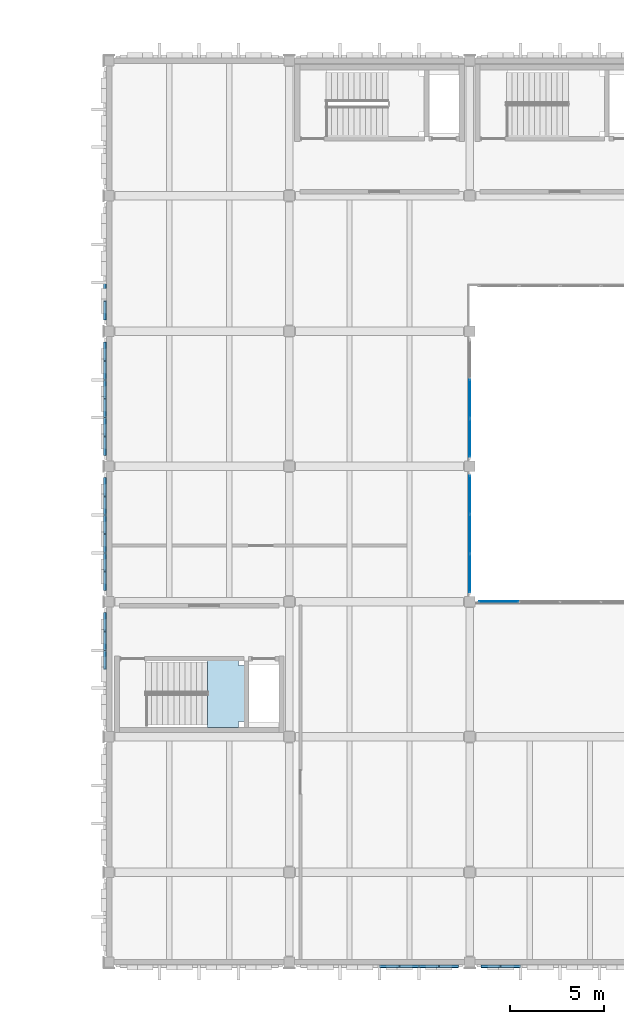
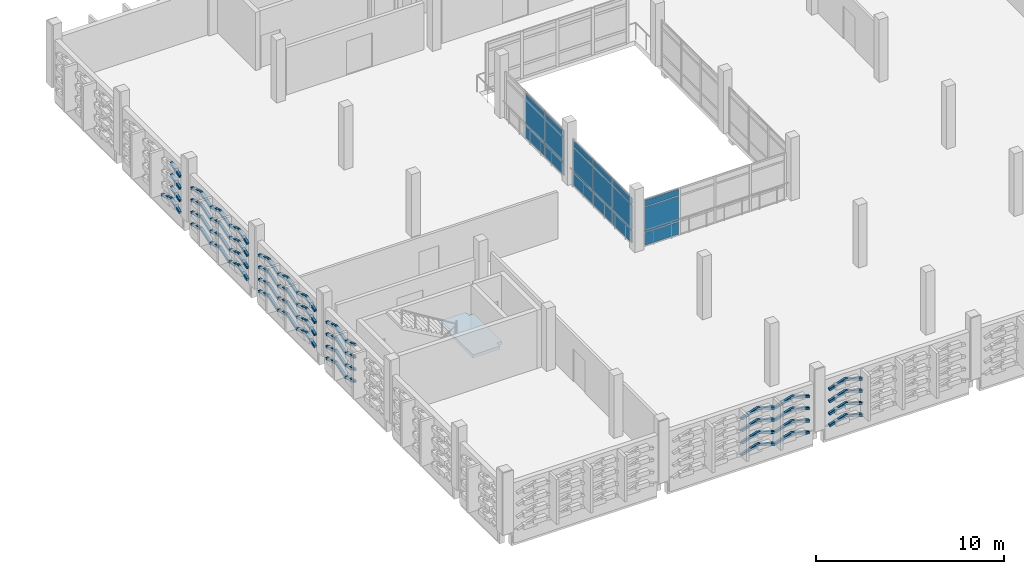
# One storey, part 36 of 72: 107 plates, 1 slab, 4 elements without a shape of their own.
"""IFC4 building model written with IfcOpenShell, lengths in metres."""

from ifc_helpers import new_model, si_unit, direction, frame, origin, origin_2d, place, context, subcontext, project, spatial, polyline, rectangle, hollow_rectangle, outline, extrude, material, layer, layer_set, material_profile, profile_set, type_object, element, aggregate, save


model = new_model("IFC4")

# Units and contexts
model_context = context("Model", 3, precision=1e-05, world=origin(), true_north=direction((0.0, 1.0)))
body_context = subcontext(model_context, "Body", "Model", "MODEL_VIEW")
ifc_project = project(units=[si_unit("LENGTHUNIT", "METRE"), si_unit("AREAUNIT", "SQUARE_METRE"), si_unit("VOLUMEUNIT", "CUBIC_METRE"), si_unit("PLANEANGLEUNIT", "RADIAN"), si_unit("MASSUNIT", "GRAM", prefix="KILO")], contexts=[model_context])

# Site, building, storey
site_placement = place(None, origin())
site = spatial("IfcSite", under=ifc_project, at=site_placement, CompositionType="ELEMENT")
building_placement = place(site_placement, origin())
building = spatial("IfcBuilding", under=site, at=building_placement, Name="Asteropetra Specialist Clinic", CompositionType="ELEMENT")
storey_placement = place(building_placement, frame((0.0, 0.0, 12.580078125)))
storey = spatial("IfcBuildingStorey", under=building, at=storey_placement, Name="L03", CompositionType="ELEMENT", Elevation=12.580078125)

# Plates
ifc_material_1 = material(Name="Chevron emerald aluminium 6063-T6", Category="aluminium")
ifc_material_profile = material_profile(ifc_material_1, hollow_rectangle(XDim=0.159912109375, YDim=0.159912109375, WallThickness=0.008056640625, InnerFilletRadius=0.008056640625, OuterFilletRadius=0.01611328125, at=origin_2d()), Name="SHS 160x160x8.0")
ifc_profile_set = profile_set([ifc_material_profile], Name="Chevron emerald aluminium 6063-T6")
plate_type_1 = type_object("IfcPlateType", Name="CHV-RIB-160", PredefinedType="SHEET", material=ifc_profile_set)
for number, where, z_axis, x_axis, name in (
    (1, (120.02001953125, -0.219482421875, 0.0498046875), (0.95200979945, 0.0, 0.306067544426), (0.0, 1.0, 0.0), "Chevron Facade Screen Fin CVR-2974"),
    (2, (121.05126953125, -0.219482421875, 0.38134765625), (0.95200979945, 0.0, -0.306067544426), (0.0, 1.0, 0.0), "Chevron Facade Screen Fin CVR-2975"),
    (3, (120.02001953125, -0.219482421875, 0.81982421875), (0.95200979945, 0.0, 0.306067544426), (0.0, 1.0, 0.0), "Chevron Facade Screen Fin CVR-2976"),
    (4, (121.05126953125, -0.219482421875, 1.1513671875), (0.95200979945, 0.0, -0.306067544426), (0.0, 1.0, 0.0), "Chevron Facade Screen Fin CVR-2977"),
    (5, (120.02001953125, -0.219482421875, 1.619873046875), (0.95200979945, 0.0, 0.306067544426), (0.0, 1.0, 0.0), "Chevron Facade Screen Fin CVR-2978"),
    (6, (121.05126953125, -0.219482421875, 1.951416015625), (0.95200979945, 0.0, -0.306067544426), (0.0, 1.0, 0.0), "Chevron Facade Screen Fin CVR-2979"),
    (7, (120.02001953125, -0.219482421875, 2.39990234375), (0.95200979945, 0.0, 0.306067544426), (0.0, 1.0, 0.0), "Chevron Facade Screen Fin CVR-2980"),
    (8, (121.05126953125, -0.219482421875, 2.7314453125), (0.95200979945, 0.0, -0.306067544426), (0.0, 1.0, 0.0), "Chevron Facade Screen Fin CVR-2981"),
    (9, (122.12255859375, -0.219482421875, 0.0498046875), (0.95200979945, 0.0, 0.306067544426), (0.0, 1.0, 0.0), "Chevron Facade Screen Fin CVR-2982"),
    (10, (123.15380859375, -0.219482421875, 0.38134765625), (0.95200979945, 0.0, -0.306067544426), (0.0, 1.0, 0.0), "Chevron Facade Screen Fin CVR-2983"),
    (11, (122.12255859375, -0.219482421875, 0.81982421875), (0.95200979945, 0.0, 0.306067544426), (0.0, 1.0, 0.0), "Chevron Facade Screen Fin CVR-2984"),
    (12, (123.15380859375, -0.219482421875, 1.1513671875), (0.95200979945, 0.0, -0.306067544426), (0.0, 1.0, 0.0), "Chevron Facade Screen Fin CVR-2985"),
    (13, (122.12255859375, -0.219482421875, 1.619873046875), (0.95200979945, 0.0, 0.306067544426), (0.0, 1.0, 0.0), "Chevron Facade Screen Fin CVR-2986"),
    (14, (123.15380859375, -0.219482421875, 1.951416015625), (0.95200979945, 0.0, -0.306067544426), (0.0, 1.0, 0.0), "Chevron Facade Screen Fin CVR-2987"),
    (15, (122.12255859375, -0.219482421875, 2.39990234375), (0.95200979945, 0.0, 0.306067544426), (0.0, 1.0, 0.0), "Chevron Facade Screen Fin CVR-2988"),
    (16, (123.15380859375, -0.219482421875, 2.7314453125), (0.95200979945, 0.0, -0.306067544426), (0.0, 1.0, 0.0), "Chevron Facade Screen Fin CVR-2989"),
    (17, (125.4150390625, -0.219482421875, 0.0498046875), (0.95200979945, 0.0, 0.306067544426), (0.0, 1.0, 0.0), "Chevron Facade Screen Fin CVR-3022"),
    (18, (126.4462890625, -0.219482421875, 0.38134765625), (0.95200979945, 0.0, -0.306067544426), (0.0, 1.0, 0.0), "Chevron Facade Screen Fin CVR-3023"),
    (19, (125.4150390625, -0.219482421875, 0.81982421875), (0.95200979945, 0.0, 0.306067544426), (0.0, 1.0, 0.0), "Chevron Facade Screen Fin CVR-3024"),
    (20, (126.4462890625, -0.219482421875, 1.1513671875), (0.95200979945, 0.0, -0.306067544426), (0.0, 1.0, 0.0), "Chevron Facade Screen Fin CVR-3025"),
    (21, (125.4150390625, -0.219482421875, 1.619873046875), (0.95200979945, 0.0, 0.306067544426), (0.0, 1.0, 0.0), "Chevron Facade Screen Fin CVR-3026"),
    (22, (126.4462890625, -0.219482421875, 1.951416015625), (0.95200979945, 0.0, -0.306067544426), (0.0, 1.0, 0.0), "Chevron Facade Screen Fin CVR-3027"),
    (23, (125.4150390625, -0.219482421875, 2.39990234375), (0.95200979945, 0.0, 0.306067544426), (0.0, 1.0, 0.0), "Chevron Facade Screen Fin CVR-3028"),
    (24, (126.4462890625, -0.219482421875, 2.7314453125), (0.95200979945, 0.0, -0.306067544426), (0.0, 1.0, 0.0), "Chevron Facade Screen Fin CVR-3029"),
):
    element("IfcPlate", number, at=place(storey_placement, frame(where, z_axis=z_axis, x_axis=x_axis)), inside=storey, type_object=plate_type_1, Name=name, PredefinedType="SHEET", context=body_context, shape_type="SweptSolid", body=[
        extrude(hollow_rectangle(XDim=0.159912109375, YDim=0.159912109375, WallThickness=0.008056640625, InnerFilletRadius=0.008056640625, OuterFilletRadius=0.01611328125, at=origin_2d()), origin(), (0.0, 0.0, 1.0), 1.083251953125),
    ])
for number, where, z_axis, x_axis, name in (
    (25, (105.380615234375, 18.5849609375, 0.0498046875), (0.0, -0.951922588053, 0.306338679169), (1.0, 0.0, 0.0), "Chevron Facade Screen Fin CVR-3294"),
    (26, (105.380615234375, 17.603271484375, 0.36572265625), (0.0, -0.951922588053, -0.306338679169), (1.0, 0.0, 0.0), "Chevron Facade Screen Fin CVR-3295"),
    (27, (105.380615234375, 18.5849609375, 0.81982421875), (0.0, -0.951922588053, 0.306338679169), (1.0, 0.0, 0.0), "Chevron Facade Screen Fin CVR-3296"),
    (28, (105.380615234375, 17.603271484375, 1.1357421875), (0.0, -0.951922588053, -0.306338679169), (1.0, 0.0, 0.0), "Chevron Facade Screen Fin CVR-3297"),
    (29, (105.380615234375, 18.5849609375, 1.619873046875), (0.0, -0.951922588053, 0.306338679169), (1.0, 0.0, 0.0), "Chevron Facade Screen Fin CVR-3298"),
    (30, (105.380615234375, 17.603271484375, 1.935791015625), (0.0, -0.951922588053, -0.306338679169), (1.0, 0.0, 0.0), "Chevron Facade Screen Fin CVR-3299"),
    (31, (105.380615234375, 18.5849609375, 2.39990234375), (0.0, -0.951922588053, 0.306338679169), (1.0, 0.0, 0.0), "Chevron Facade Screen Fin CVR-3300"),
    (32, (105.380615234375, 17.603271484375, 2.7158203125), (0.0, -0.951922588053, -0.306338679169), (1.0, 0.0, 0.0), "Chevron Facade Screen Fin CVR-3301"),
    (33, (105.380615234375, 16.581787109375, 0.0498046875), (0.0, -0.951922588053, 0.306338679169), (1.0, 0.0, 0.0), "Chevron Facade Screen Fin CVR-3302"),
    (34, (105.380615234375, 16.581787109375, 0.81982421875), (0.0, -0.951922588053, 0.306338679169), (1.0, 0.0, 0.0), "Chevron Facade Screen Fin CVR-3304"),
    (35, (105.380615234375, 16.581787109375, 1.619873046875), (0.0, -0.951922588053, 0.306338679169), (1.0, 0.0, 0.0), "Chevron Facade Screen Fin CVR-3306"),
    (36, (105.380615234375, 16.581787109375, 2.39990234375), (0.0, -0.951922588053, 0.306338679169), (1.0, 0.0, 0.0), "Chevron Facade Screen Fin CVR-3308"),
    (37, (105.380615234375, 25.784912109375, 0.0498046875), (0.0, -0.951922588053, 0.306338679169), (1.0, 0.0, 0.0), "Chevron Facade Screen Fin CVR-3342"),
):
    element("IfcPlate", number, at=place(storey_placement, frame(where, z_axis=z_axis, x_axis=x_axis)), inside=storey, type_object=plate_type_1, Name=name, PredefinedType="SHEET", context=body_context, shape_type="SweptSolid", body=[
        extrude(hollow_rectangle(XDim=0.159912109375, YDim=0.159912109375, WallThickness=0.008056640625, InnerFilletRadius=0.008056640625, OuterFilletRadius=0.01611328125, at=origin_2d()), origin(), (0.0, 0.0, 1.0), 1.03125),
    ])
plate_1_placement = place(storey_placement, frame((105.380615234375, 24.80322265625, 0.36572265625), z_axis=(0.0, -0.951900364266, -0.306407729194), x_axis=(1.0, 0.0, 0.0)))
element("IfcPlate", 38, at=plate_1_placement, inside=storey, type_object=plate_type_1, Name="Chevron Facade Screen Fin CVR-3343", PredefinedType="SHEET", context=body_context, shape_type="SweptSolid", body=[
    extrude(hollow_rectangle(XDim=0.159912109375, YDim=0.159912109375, WallThickness=0.008056640625, InnerFilletRadius=0.008056640625, OuterFilletRadius=0.01611328125, at=origin_2d()), origin(), (0.0, 0.0, 1.0), 1.031005859375),
])
plate_2_placement = place(storey_placement, frame((105.380615234375, 25.784912109375, 0.81982421875), z_axis=(0.0, -0.951922588053, 0.306338679169), x_axis=(1.0, 0.0, 0.0)))
element("IfcPlate", 39, at=plate_2_placement, inside=storey, type_object=plate_type_1, Name="Chevron Facade Screen Fin CVR-3344", PredefinedType="SHEET", context=body_context, shape_type="SweptSolid", body=[
    extrude(hollow_rectangle(XDim=0.159912109375, YDim=0.159912109375, WallThickness=0.008056640625, InnerFilletRadius=0.008056640625, OuterFilletRadius=0.01611328125, at=origin_2d()), origin(), (0.0, 0.0, 1.0), 1.03125),
])
plate_3_placement = place(storey_placement, frame((105.380615234375, 24.80322265625, 1.1357421875), z_axis=(0.0, -0.951900364266, -0.306407729194), x_axis=(1.0, 0.0, 0.0)))
element("IfcPlate", 40, at=plate_3_placement, inside=storey, type_object=plate_type_1, Name="Chevron Facade Screen Fin CVR-3345", PredefinedType="SHEET", context=body_context, shape_type="SweptSolid", body=[
    extrude(hollow_rectangle(XDim=0.159912109375, YDim=0.159912109375, WallThickness=0.008056640625, InnerFilletRadius=0.008056640625, OuterFilletRadius=0.01611328125, at=origin_2d()), origin(), (0.0, 0.0, 1.0), 1.031005859375),
])
plate_4_placement = place(storey_placement, frame((105.380615234375, 25.784912109375, 1.619873046875), z_axis=(0.0, -0.951922588053, 0.306338679169), x_axis=(1.0, 0.0, 0.0)))
element("IfcPlate", 41, at=plate_4_placement, inside=storey, type_object=plate_type_1, Name="Chevron Facade Screen Fin CVR-3346", PredefinedType="SHEET", context=body_context, shape_type="SweptSolid", body=[
    extrude(hollow_rectangle(XDim=0.159912109375, YDim=0.159912109375, WallThickness=0.008056640625, InnerFilletRadius=0.008056640625, OuterFilletRadius=0.01611328125, at=origin_2d()), origin(), (0.0, 0.0, 1.0), 1.03125),
])
plate_5_placement = place(storey_placement, frame((105.380615234375, 24.80322265625, 1.935791015625), z_axis=(0.0, -0.951900364266, -0.306407729194), x_axis=(1.0, 0.0, 0.0)))
element("IfcPlate", 42, at=plate_5_placement, inside=storey, type_object=plate_type_1, Name="Chevron Facade Screen Fin CVR-3347", PredefinedType="SHEET", context=body_context, shape_type="SweptSolid", body=[
    extrude(hollow_rectangle(XDim=0.159912109375, YDim=0.159912109375, WallThickness=0.008056640625, InnerFilletRadius=0.008056640625, OuterFilletRadius=0.01611328125, at=origin_2d()), origin(), (0.0, 0.0, 1.0), 1.031005859375),
])
plate_6_placement = place(storey_placement, frame((105.380615234375, 25.784912109375, 2.39990234375), z_axis=(0.0, -0.951922588053, 0.306338679169), x_axis=(1.0, 0.0, 0.0)))
element("IfcPlate", 43, at=plate_6_placement, inside=storey, type_object=plate_type_1, Name="Chevron Facade Screen Fin CVR-3348", PredefinedType="SHEET", context=body_context, shape_type="SweptSolid", body=[
    extrude(hollow_rectangle(XDim=0.159912109375, YDim=0.159912109375, WallThickness=0.008056640625, InnerFilletRadius=0.008056640625, OuterFilletRadius=0.01611328125, at=origin_2d()), origin(), (0.0, 0.0, 1.0), 1.03125),
])
plate_7_placement = place(storey_placement, frame((105.380615234375, 24.80322265625, 2.7158203125), z_axis=(0.0, -0.951900364266, -0.306407729194), x_axis=(1.0, 0.0, 0.0)))
element("IfcPlate", 44, at=plate_7_placement, inside=storey, type_object=plate_type_1, Name="Chevron Facade Screen Fin CVR-3349", PredefinedType="SHEET", context=body_context, shape_type="SweptSolid", body=[
    extrude(hollow_rectangle(XDim=0.159912109375, YDim=0.159912109375, WallThickness=0.008056640625, InnerFilletRadius=0.008056640625, OuterFilletRadius=0.01611328125, at=origin_2d()), origin(), (0.0, 0.0, 1.0), 1.031005859375),
])
for number, where, z_axis, x_axis, name in (
    (45, (105.380615234375, 23.78173828125, 0.0498046875), (0.0, -0.951922588053, 0.306338679169), (1.0, 0.0, 0.0), "Chevron Facade Screen Fin CVR-3350"),
    (46, (105.380615234375, 22.800048828125, 0.36572265625), (0.0, -0.951922588053, -0.306338679169), (1.0, 0.0, 0.0), "Chevron Facade Screen Fin CVR-3351"),
    (47, (105.380615234375, 23.78173828125, 0.81982421875), (0.0, -0.951922588053, 0.306338679169), (1.0, 0.0, 0.0), "Chevron Facade Screen Fin CVR-3352"),
    (48, (105.380615234375, 22.800048828125, 1.1357421875), (0.0, -0.951922588053, -0.306338679169), (1.0, 0.0, 0.0), "Chevron Facade Screen Fin CVR-3353"),
    (49, (105.380615234375, 23.78173828125, 1.619873046875), (0.0, -0.951922588053, 0.306338679169), (1.0, 0.0, 0.0), "Chevron Facade Screen Fin CVR-3354"),
    (50, (105.380615234375, 22.800048828125, 1.935791015625), (0.0, -0.951922588053, -0.306338679169), (1.0, 0.0, 0.0), "Chevron Facade Screen Fin CVR-3355"),
    (51, (105.380615234375, 23.78173828125, 2.39990234375), (0.0, -0.951922588053, 0.306338679169), (1.0, 0.0, 0.0), "Chevron Facade Screen Fin CVR-3356"),
    (52, (105.380615234375, 22.800048828125, 2.7158203125), (0.0, -0.951922588053, -0.306338679169), (1.0, 0.0, 0.0), "Chevron Facade Screen Fin CVR-3357"),
    (53, (105.380615234375, 21.7783203125, 0.0498046875), (0.0, -0.951922588053, 0.306338679169), (1.0, 0.0, 0.0), "Chevron Facade Screen Fin CVR-3358"),
    (54, (105.380615234375, 20.796630859375, 0.36572265625), (0.0, -0.951922588053, -0.306338679169), (1.0, 0.0, 0.0), "Chevron Facade Screen Fin CVR-3359"),
    (55, (105.380615234375, 21.7783203125, 0.81982421875), (0.0, -0.951922588053, 0.306338679169), (1.0, 0.0, 0.0), "Chevron Facade Screen Fin CVR-3360"),
    (56, (105.380615234375, 20.796630859375, 1.1357421875), (0.0, -0.951922588053, -0.306338679169), (1.0, 0.0, 0.0), "Chevron Facade Screen Fin CVR-3361"),
    (57, (105.380615234375, 21.7783203125, 1.619873046875), (0.0, -0.951922588053, 0.306338679169), (1.0, 0.0, 0.0), "Chevron Facade Screen Fin CVR-3362"),
    (58, (105.380615234375, 20.796630859375, 1.935791015625), (0.0, -0.951922588053, -0.306338679169), (1.0, 0.0, 0.0), "Chevron Facade Screen Fin CVR-3363"),
    (59, (105.380615234375, 21.7783203125, 2.39990234375), (0.0, -0.951922588053, 0.306338679169), (1.0, 0.0, 0.0), "Chevron Facade Screen Fin CVR-3364"),
    (60, (105.380615234375, 20.796630859375, 2.7158203125), (0.0, -0.951922588053, -0.306338679169), (1.0, 0.0, 0.0), "Chevron Facade Screen Fin CVR-3365"),
    (61, (105.380615234375, 32.985107421875, 0.0498046875), (0.0, -0.951922588053, 0.306338679169), (1.0, 0.0, 0.0), "Chevron Facade Screen Fin CVR-3390"),
    (62, (105.380615234375, 32.00341796875, 0.36572265625), (0.0, -0.951922588053, -0.306338679169), (1.0, 0.0, 0.0), "Chevron Facade Screen Fin CVR-3391"),
    (63, (105.380615234375, 32.985107421875, 0.81982421875), (0.0, -0.951922588053, 0.306338679169), (1.0, 0.0, 0.0), "Chevron Facade Screen Fin CVR-3392"),
    (64, (105.380615234375, 32.00341796875, 1.1357421875), (0.0, -0.951922588053, -0.306338679169), (1.0, 0.0, 0.0), "Chevron Facade Screen Fin CVR-3393"),
    (65, (105.380615234375, 32.985107421875, 1.619873046875), (0.0, -0.951922588053, 0.306338679169), (1.0, 0.0, 0.0), "Chevron Facade Screen Fin CVR-3394"),
    (66, (105.380615234375, 32.00341796875, 1.935791015625), (0.0, -0.951922588053, -0.306338679169), (1.0, 0.0, 0.0), "Chevron Facade Screen Fin CVR-3395"),
    (67, (105.380615234375, 32.985107421875, 2.39990234375), (0.0, -0.951922588053, 0.306338679169), (1.0, 0.0, 0.0), "Chevron Facade Screen Fin CVR-3396"),
    (68, (105.380615234375, 32.00341796875, 2.7158203125), (0.0, -0.951922588053, -0.306338679169), (1.0, 0.0, 0.0), "Chevron Facade Screen Fin CVR-3397"),
    (69, (105.380615234375, 30.981689453125, 0.0498046875), (0.0, -0.951922588053, 0.306338679169), (1.0, 0.0, 0.0), "Chevron Facade Screen Fin CVR-3398"),
    (70, (105.380615234375, 30.0, 0.36572265625), (0.0, -0.951922588053, -0.306338679169), (1.0, 0.0, 0.0), "Chevron Facade Screen Fin CVR-3399"),
    (71, (105.380615234375, 30.981689453125, 0.81982421875), (0.0, -0.951922588053, 0.306338679169), (1.0, 0.0, 0.0), "Chevron Facade Screen Fin CVR-3400"),
    (72, (105.380615234375, 30.0, 1.1357421875), (0.0, -0.951922588053, -0.306338679169), (1.0, 0.0, 0.0), "Chevron Facade Screen Fin CVR-3401"),
    (73, (105.380615234375, 30.981689453125, 1.619873046875), (0.0, -0.951922588053, 0.306338679169), (1.0, 0.0, 0.0), "Chevron Facade Screen Fin CVR-3402"),
    (74, (105.380615234375, 30.0, 1.935791015625), (0.0, -0.951922588053, -0.306338679169), (1.0, 0.0, 0.0), "Chevron Facade Screen Fin CVR-3403"),
    (75, (105.380615234375, 30.981689453125, 2.39990234375), (0.0, -0.951922588053, 0.306338679169), (1.0, 0.0, 0.0), "Chevron Facade Screen Fin CVR-3404"),
    (76, (105.380615234375, 30.0, 2.7158203125), (0.0, -0.951922588053, -0.306338679169), (1.0, 0.0, 0.0), "Chevron Facade Screen Fin CVR-3405"),
    (77, (105.380615234375, 28.978271484375, 0.0498046875), (0.0, -0.951922588053, 0.306338679169), (1.0, 0.0, 0.0), "Chevron Facade Screen Fin CVR-3406"),
    (78, (105.380615234375, 27.99658203125, 0.36572265625), (0.0, -0.951922588053, -0.306338679169), (1.0, 0.0, 0.0), "Chevron Facade Screen Fin CVR-3407"),
    (79, (105.380615234375, 28.978271484375, 0.81982421875), (0.0, -0.951922588053, 0.306338679169), (1.0, 0.0, 0.0), "Chevron Facade Screen Fin CVR-3408"),
    (80, (105.380615234375, 27.99658203125, 1.1357421875), (0.0, -0.951922588053, -0.306338679169), (1.0, 0.0, 0.0), "Chevron Facade Screen Fin CVR-3409"),
    (81, (105.380615234375, 28.978271484375, 1.619873046875), (0.0, -0.951922588053, 0.306338679169), (1.0, 0.0, 0.0), "Chevron Facade Screen Fin CVR-3410"),
    (82, (105.380615234375, 27.99658203125, 1.935791015625), (0.0, -0.951922588053, -0.306338679169), (1.0, 0.0, 0.0), "Chevron Facade Screen Fin CVR-3411"),
    (83, (105.380615234375, 28.978271484375, 2.39990234375), (0.0, -0.951922588053, 0.306338679169), (1.0, 0.0, 0.0), "Chevron Facade Screen Fin CVR-3412"),
    (84, (105.380615234375, 27.99658203125, 2.7158203125), (0.0, -0.951922588053, -0.306338679169), (1.0, 0.0, 0.0), "Chevron Facade Screen Fin CVR-3413"),
):
    element("IfcPlate", number, at=place(storey_placement, frame(where, z_axis=z_axis, x_axis=x_axis)), inside=storey, type_object=plate_type_1, Name=name, PredefinedType="SHEET", context=body_context, shape_type="SweptSolid", body=[
        extrude(hollow_rectangle(XDim=0.159912109375, YDim=0.159912109375, WallThickness=0.008056640625, InnerFilletRadius=0.008056640625, OuterFilletRadius=0.01611328125, at=origin_2d()), origin(), (0.0, 0.0, 1.0), 1.03125),
    ])
plate_8_placement = place(storey_placement, frame((105.380615234375, 36.17822265625, 0.0498046875), z_axis=(0.0, -0.951900364266, 0.306407729194), x_axis=(1.0, 0.0, 0.0)))
element("IfcPlate", 85, at=plate_8_placement, inside=storey, type_object=plate_type_1, Name="Chevron Facade Screen Fin CVR-3454", PredefinedType="SHEET", context=body_context, shape_type="SweptSolid", body=[
    extrude(hollow_rectangle(XDim=0.159912109375, YDim=0.159912109375, WallThickness=0.008056640625, InnerFilletRadius=0.008056640625, OuterFilletRadius=0.01611328125, at=origin_2d()), origin(), (0.0, 0.0, 1.0), 1.031005859375),
])
for number, where, z_axis, x_axis, name in (
    (86, (105.380615234375, 35.19677734375, 0.36572265625), (0.0, -0.951922588053, -0.306338679169), (1.0, 0.0, 0.0), "Chevron Facade Screen Fin CVR-3455"),
    (87, (105.380615234375, 35.19677734375, 1.1357421875), (0.0, -0.951922588053, -0.306338679169), (1.0, 0.0, 0.0), "Chevron Facade Screen Fin CVR-3457"),
    (88, (105.380615234375, 35.19677734375, 1.935791015625), (0.0, -0.951922588053, -0.306338679169), (1.0, 0.0, 0.0), "Chevron Facade Screen Fin CVR-3459"),
    (89, (105.380615234375, 35.19677734375, 2.7158203125), (0.0, -0.951922588053, -0.306338679169), (1.0, 0.0, 0.0), "Chevron Facade Screen Fin CVR-3461"),
):
    element("IfcPlate", number, at=place(storey_placement, frame(where, z_axis=z_axis, x_axis=x_axis)), inside=storey, type_object=plate_type_1, Name=name, PredefinedType="SHEET", context=body_context, shape_type="SweptSolid", body=[
        extrude(hollow_rectangle(XDim=0.159912109375, YDim=0.159912109375, WallThickness=0.008056640625, InnerFilletRadius=0.008056640625, OuterFilletRadius=0.01611328125, at=origin_2d()), origin(), (0.0, 0.0, 1.0), 1.03125),
    ])

# Curtain wall, plates
ifc_material_2 = material(Name="Aluminium and low-E glass", Category="aluminium")
ifc_layer_1 = layer(ifc_material_2, 0.179931640625)
ifc_layer_set_1 = layer_set([ifc_layer_1], Name="Aluminium and low-E glass")
curtain_wall_type_1 = type_object("IfcCurtainWallType", Name="CW-SYS-10", PredefinedType="USERDEFINED", material=ifc_layer_set_1)
curtain_wall_1_placement = place(storey_placement, origin())
curtain_wall_1 = element("IfcCurtainWall", 90, at=curtain_wall_1_placement, inside=storey, type_object=curtain_wall_type_1, Name="Curtain Wall CW-085", ObjectType="STICK GLAZED COLONNADE", PredefinedType="USERDEFINED")
ifc_material_3 = material(Name="Low-E acoustic double glazing", Category="glass")
ifc_layer_2 = layer(ifc_material_3, 0.031982421875)
ifc_layer_set_2 = layer_set([ifc_layer_2], Name="Low-E acoustic double glazing")
plate_type_2 = type_object("IfcPlateType", Name="CWP-GLZ-32", PredefinedType="CURTAIN_PANEL", material=ifc_layer_set_2)
plate_9_placement = place(storey_placement, frame((124.800048828125, 24.893798828125, 0.06494140625), z_axis=(0.0, 0.0, 1.0), x_axis=(0.0, -1.0, 0.0)))
plate_9 = element("IfcPlate", 91, at=plate_9_placement, type_object=plate_type_2, Name="CW-085 panel 1.1", PredefinedType="CURTAIN_PANEL", context=body_context, shape_type="SweptSolid", body=[
    extrude(rectangle(XDim=2.012451171875, YDim=0.031982421875, at=origin_2d()), origin(), (0.0, 0.0, 1.0), 0.802490234375),
])
plate_10_placement = place(storey_placement, frame((124.800048828125, 24.893798828125, 0.9326171875), z_axis=(0.0, 0.0, 1.0), x_axis=(0.0, -1.0, 0.0)))
plate_10 = element("IfcPlate", 92, at=plate_10_placement, type_object=plate_type_2, Name="CW-085 panel 1.2", PredefinedType="CURTAIN_PANEL", context=body_context, shape_type="SweptSolid", body=[
    extrude(rectangle(XDim=2.012451171875, YDim=0.031982421875, at=origin_2d()), origin(), (0.0, 0.0, 1.0), 1.594970703125),
])
plate_11_placement = place(storey_placement, frame((124.800048828125, 24.893798828125, 2.59228515625), z_axis=(0.0, 0.0, 1.0), x_axis=(0.0, -1.0, 0.0)))
plate_11 = element("IfcPlate", 93, at=plate_11_placement, type_object=plate_type_2, Name="CW-085 panel 1.3", PredefinedType="CURTAIN_PANEL", context=body_context, shape_type="SweptSolid", body=[
    extrude(rectangle(XDim=2.012451171875, YDim=0.031982421875, at=origin_2d()), origin(), (0.0, 0.0, 1.0), 0.402587890625),
])
plate_12_placement = place(storey_placement, frame((124.800048828125, 22.800048828125, 0.06494140625), z_axis=(0.0, 0.0, 1.0), x_axis=(0.0, -1.0, 0.0)))
plate_12 = element("IfcPlate", 94, at=plate_12_placement, type_object=plate_type_2, Name="CW-085 panel 2.1", PredefinedType="CURTAIN_PANEL", context=body_context, shape_type="SweptSolid", body=[
    extrude(rectangle(XDim=2.044921875, YDim=0.031982421875, at=origin_2d()), origin(), (0.0, 0.0, 1.0), 0.802490234375),
])
plate_13_placement = place(storey_placement, frame((124.800048828125, 22.800048828125, 0.9326171875), z_axis=(0.0, 0.0, 1.0), x_axis=(0.0, -1.0, 0.0)))
plate_13 = element("IfcPlate", 95, at=plate_13_placement, type_object=plate_type_2, Name="CW-085 panel 2.2", PredefinedType="CURTAIN_PANEL", context=body_context, shape_type="SweptSolid", body=[
    extrude(rectangle(XDim=2.044921875, YDim=0.031982421875, at=origin_2d()), origin(), (0.0, 0.0, 1.0), 1.594970703125),
])
plate_14_placement = place(storey_placement, frame((124.800048828125, 22.800048828125, 2.59228515625), z_axis=(0.0, 0.0, 1.0), x_axis=(0.0, -1.0, 0.0)))
plate_14 = element("IfcPlate", 96, at=plate_14_placement, type_object=plate_type_2, Name="CW-085 panel 2.3", PredefinedType="CURTAIN_PANEL", context=body_context, shape_type="SweptSolid", body=[
    extrude(rectangle(XDim=2.044921875, YDim=0.031982421875, at=origin_2d()), origin(), (0.0, 0.0, 1.0), 0.402587890625),
])
plate_15_placement = place(storey_placement, frame((124.800048828125, 20.706298828125, 0.06494140625), z_axis=(0.0, 0.0, 1.0), x_axis=(0.0, -1.0, 0.0)))
plate_15 = element("IfcPlate", 97, at=plate_15_placement, type_object=plate_type_2, Name="CW-085 panel 3.1", PredefinedType="CURTAIN_PANEL", context=body_context, shape_type="SweptSolid", body=[
    extrude(rectangle(XDim=2.012451171875, YDim=0.031982421875, at=origin_2d()), origin(), (0.0, 0.0, 1.0), 0.802490234375),
])
plate_16_placement = place(storey_placement, frame((124.800048828125, 20.706298828125, 0.9326171875), z_axis=(0.0, 0.0, 1.0), x_axis=(0.0, -1.0, 0.0)))
plate_16 = element("IfcPlate", 98, at=plate_16_placement, type_object=plate_type_2, Name="CW-085 panel 3.2", PredefinedType="CURTAIN_PANEL", context=body_context, shape_type="SweptSolid", body=[
    extrude(rectangle(XDim=2.012451171875, YDim=0.031982421875, at=origin_2d()), origin(), (0.0, 0.0, 1.0), 1.594970703125),
])
plate_17_placement = place(storey_placement, frame((124.800048828125, 20.706298828125, 2.59228515625), z_axis=(0.0, 0.0, 1.0), x_axis=(0.0, -1.0, 0.0)))
plate_17 = element("IfcPlate", 99, at=plate_17_placement, type_object=plate_type_2, Name="CW-085 panel 3.3", PredefinedType="CURTAIN_PANEL", context=body_context, shape_type="SweptSolid", body=[
    extrude(rectangle(XDim=2.012451171875, YDim=0.031982421875, at=origin_2d()), origin(), (0.0, 0.0, 1.0), 0.402587890625),
])
aggregate(curtain_wall_1, [plate_9, plate_10, plate_11, plate_12, plate_13, plate_14, plate_15, plate_16, plate_17])

ifc_material_4 = material(Name="Aluminium and low-E glass", Category="aluminium")
ifc_layer_3 = layer(ifc_material_4, 0.14990234375)
ifc_layer_set_3 = layer_set([ifc_layer_3], Name="Aluminium and low-E glass")
curtain_wall_type_2 = type_object("IfcCurtainWallType", Name="CW-SYS-08", PredefinedType="USERDEFINED", material=ifc_layer_set_3)
curtain_wall_2_placement = place(storey_placement, origin())
curtain_wall_2 = element("IfcCurtainWall", 100, at=curtain_wall_2_placement, inside=storey, type_object=curtain_wall_type_2, Name="Curtain Wall CW-083", ObjectType="STICK GLAZED COLONNADE", PredefinedType="USERDEFINED")
ifc_material_5 = material(Name="Laminated skylight glazing", Category="glass")
ifc_layer_4 = layer(ifc_material_5, 0.0400390625)
ifc_layer_set_4 = layer_set([ifc_layer_4], Name="Laminated skylight glazing")
plate_type_3 = type_object("IfcPlateType", Name="CWP-GLZ-40", PredefinedType="CURTAIN_PANEL", material=ifc_layer_set_4)
plate_18_placement = place(storey_placement, frame((126.34130859375, 19.199951171875, 0.059814453125), z_axis=(0.0, 0.0, 1.0), x_axis=(1.0, 0.0, 0.0)))
plate_18 = element("IfcPlate", 101, at=plate_18_placement, type_object=plate_type_3, Name="CW-083 panel 1.1", PredefinedType="CURTAIN_PANEL", context=body_context, shape_type="SweptSolid", body=[
    extrude(rectangle(XDim=2.092529296875, YDim=0.0400390625, at=origin_2d()), origin(), (0.0, 0.0, 1.0), 0.81005859375),
])
plate_19_placement = place(storey_placement, frame((126.34130859375, 19.199951171875, 0.929931640625), z_axis=(0.0, 0.0, 1.0), x_axis=(1.0, 0.0, 0.0)))
plate_19 = element("IfcPlate", 102, at=plate_19_placement, type_object=plate_type_3, Name="CW-083 panel 1.2", PredefinedType="CURTAIN_PANEL", context=body_context, shape_type="SweptSolid", body=[
    extrude(rectangle(XDim=2.092529296875, YDim=0.0400390625, at=origin_2d()), origin(), (0.0, 0.0, 1.0), 1.60009765625),
])
plate_20_placement = place(storey_placement, frame((126.34130859375, 19.199951171875, 2.58984375), z_axis=(0.0, 0.0, 1.0), x_axis=(1.0, 0.0, 0.0)))
plate_20 = element("IfcPlate", 103, at=plate_20_placement, type_object=plate_type_3, Name="CW-083 panel 1.3", PredefinedType="CURTAIN_PANEL", context=body_context, shape_type="SweptSolid", body=[
    extrude(rectangle(XDim=2.092529296875, YDim=0.0400390625, at=origin_2d()), origin(), (0.0, 0.0, 1.0), 0.409912109375),
])
aggregate(curtain_wall_2, [plate_18, plate_19, plate_20])

ifc_material_6 = material(Name="Aluminium and low-E glass", Category="aluminium")
ifc_layer_5 = layer(ifc_material_6, 0.14990234375)
ifc_layer_set_5 = layer_set([ifc_layer_5], Name="Aluminium and low-E glass")
curtain_wall_type_3 = type_object("IfcCurtainWallType", Name="CW-SYS-11", PredefinedType="USERDEFINED", material=ifc_layer_set_5)
curtain_wall_3_placement = place(storey_placement, origin())
curtain_wall_3 = element("IfcCurtainWall", 104, at=curtain_wall_3_placement, inside=storey, type_object=curtain_wall_type_3, Name="Curtain Wall CW-087", ObjectType="STICK GLAZED COLONNADE", PredefinedType="USERDEFINED")
plate_21_placement = place(storey_placement, frame((124.800048828125, 30.0, 0.074951171875), z_axis=(0.0, 0.0, 1.0), x_axis=(0.0, -1.0, 0.0)))
plate_21 = element("IfcPlate", 105, at=plate_21_placement, type_object=plate_type_3, Name="CW-087 panel 2.1", PredefinedType="CURTAIN_PANEL", context=body_context, shape_type="SweptSolid", body=[
    extrude(rectangle(XDim=2.034912109375, YDim=0.0400390625, at=origin_2d()), origin(), (0.0, 0.0, 1.0), 0.78759765625),
])
plate_22_placement = place(storey_placement, frame((124.800048828125, 30.0, 0.9375), z_axis=(0.0, 0.0, 1.0), x_axis=(0.0, -1.0, 0.0)))
plate_22 = element("IfcPlate", 106, at=plate_22_placement, type_object=plate_type_3, Name="CW-087 panel 2.2", PredefinedType="CURTAIN_PANEL", context=body_context, shape_type="SweptSolid", body=[
    extrude(rectangle(XDim=2.034912109375, YDim=0.0400390625, at=origin_2d()), origin(), (0.0, 0.0, 1.0), 1.5849609375),
])
plate_23_placement = place(storey_placement, frame((124.800048828125, 30.0, 2.59765625), z_axis=(0.0, 0.0, 1.0), x_axis=(0.0, -1.0, 0.0)))
plate_23 = element("IfcPlate", 107, at=plate_23_placement, type_object=plate_type_3, Name="CW-087 panel 2.3", PredefinedType="CURTAIN_PANEL", context=body_context, shape_type="SweptSolid", body=[
    extrude(rectangle(XDim=2.034912109375, YDim=0.0400390625, at=origin_2d()), origin(), (0.0, 0.0, 1.0), 0.387451171875),
])
plate_24_placement = place(storey_placement, frame((124.800048828125, 27.90869140625, 0.074951171875), z_axis=(0.0, 0.0, 1.0), x_axis=(0.0, -1.0, 0.0)))
plate_24 = element("IfcPlate", 108, at=plate_24_placement, type_object=plate_type_3, Name="CW-087 panel 3.1", PredefinedType="CURTAIN_PANEL", context=body_context, shape_type="SweptSolid", body=[
    extrude(rectangle(XDim=1.99755859375, YDim=0.0400390625, at=origin_2d()), origin(), (0.0, 0.0, 1.0), 0.78759765625),
])
plate_25_placement = place(storey_placement, frame((124.800048828125, 27.90869140625, 0.9375), z_axis=(0.0, 0.0, 1.0), x_axis=(0.0, -1.0, 0.0)))
plate_25 = element("IfcPlate", 109, at=plate_25_placement, type_object=plate_type_3, Name="CW-087 panel 3.2", PredefinedType="CURTAIN_PANEL", context=body_context, shape_type="SweptSolid", body=[
    extrude(rectangle(XDim=1.99755859375, YDim=0.0400390625, at=origin_2d()), origin(), (0.0, 0.0, 1.0), 1.5849609375),
])
plate_26_placement = place(storey_placement, frame((124.800048828125, 27.90869140625, 2.59765625), z_axis=(0.0, 0.0, 1.0), x_axis=(0.0, -1.0, 0.0)))
plate_26 = element("IfcPlate", 110, at=plate_26_placement, type_object=plate_type_3, Name="CW-087 panel 3.3", PredefinedType="CURTAIN_PANEL", context=body_context, shape_type="SweptSolid", body=[
    extrude(rectangle(XDim=1.99755859375, YDim=0.0400390625, at=origin_2d()), origin(), (0.0, 0.0, 1.0), 0.387451171875),
])
aggregate(curtain_wall_3, [plate_21, plate_22, plate_23, plate_24, plate_25, plate_26])

# Stair, slab
ifc_material_7 = material(Name="Concrete C35/45", Category="concrete")
stair_type = type_object("IfcStairType", Name="STR-DOG-165", PredefinedType="TWO_STRAIGHT_RUN_STAIR", material=ifc_material_7)
stair_placement = place(storey_placement, origin())
stair = element("IfcStair", 111, at=stair_placement, inside=storey, type_object=stair_type, Name="Type I Stair ST08-L03", PredefinedType="TWO_STRAIGHT_RUN_STAIR")
ifc_material_8 = material(Name="Concrete C35/45", Category="concrete")
ifc_layer_6 = layer(ifc_material_8, 0.199951171875)
ifc_layer_set_6 = layer_set([ifc_layer_6], Name="Concrete C35/45")
slab_type = type_object("IfcSlabType", Name="SLB-LND-200", PredefinedType="LANDING", material=ifc_layer_set_6)
slab_placement = place(storey_placement, frame((0.0, 0.0, 1.83984375)))
slab = element("IfcSlab", 112, at=slab_placement, type_object=slab_type, Name="ST08-L03 landing 1", PredefinedType="LANDING", context=body_context, shape_type="SweptSolid", body=[
    extrude(outline(polyline([(110.85009765625, 12.489990234375), (112.5, 12.489990234375), (112.5, 12.81005859375), (112.820068359375, 12.81005859375), (112.820068359375, 15.81005859375), (112.5, 15.81005859375), (112.5, 16.1298828125), (110.85009765625, 16.1298828125), (110.85009765625, 12.489990234375)])), origin(), (0.0, 0.0, 1.0), 0.2001953125),
])
aggregate(stair, [slab])

save(model, "model.ifc")
